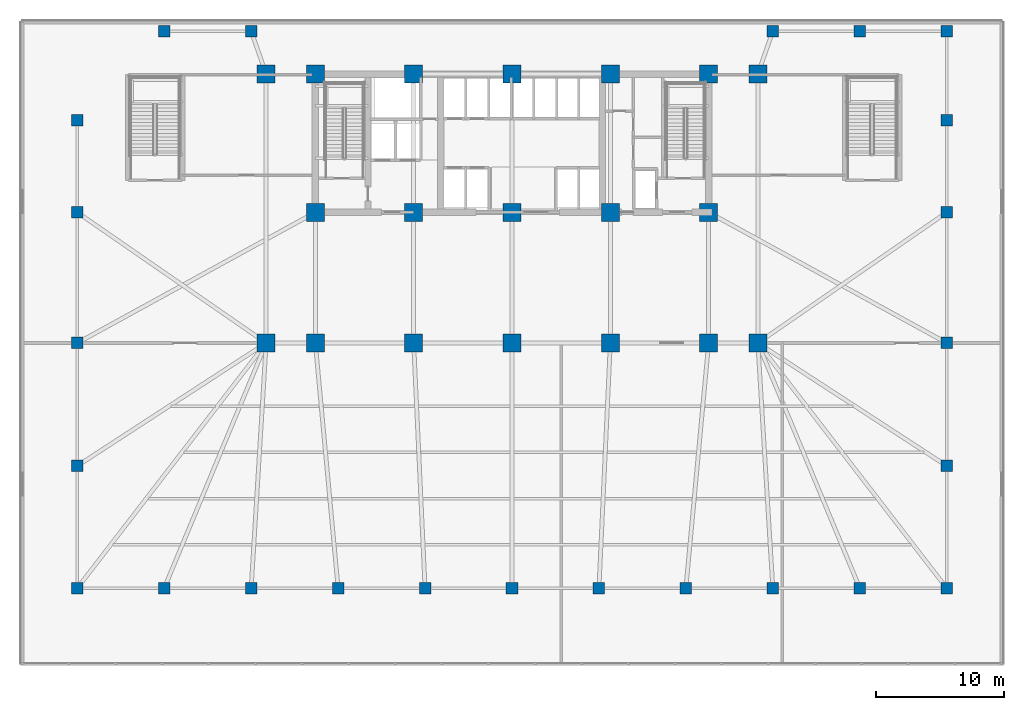
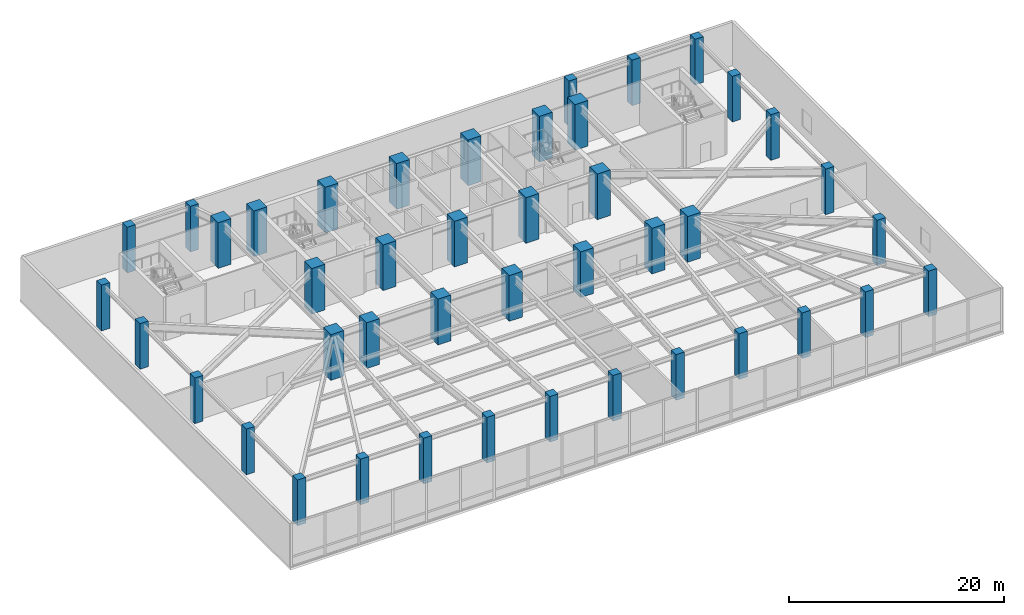
# One storey, part 1 of 19: 43 columns.
"""IFC4 building model written with IfcOpenShell, lengths in metres."""

from ifc_helpers import new_model, si_unit, direction, frame, origin, origin_2d, place, context, subcontext, project, spatial, rectangle, extrude, material, material_profile, profile_set, type_object, element, save


model = new_model("IFC4")

# Units and contexts
model_context = context("Model", 3, precision=1e-05, world=origin(), true_north=direction((0.0, 1.0)))
body_context = subcontext(model_context, "Body", "Model", "MODEL_VIEW")
ifc_project = project(units=[si_unit("LENGTHUNIT", "METRE"), si_unit("AREAUNIT", "SQUARE_METRE"), si_unit("VOLUMEUNIT", "CUBIC_METRE"), si_unit("PLANEANGLEUNIT", "RADIAN"), si_unit("MASSUNIT", "GRAM", prefix="KILO")], contexts=[model_context])

# Site, building, storey
site_placement = place(None, origin())
site = spatial("IfcSite", under=ifc_project, at=site_placement, CompositionType="ELEMENT")
building_placement = place(site_placement, origin())
building = spatial("IfcBuilding", under=site, at=building_placement, Name="Yelkora Congress Tower", CompositionType="ELEMENT")
storey_placement = place(building_placement, frame((0.0, 0.0, 5.199951171875)))
storey = spatial("IfcBuildingStorey", under=building, at=storey_placement, Name="L01", CompositionType="ELEMENT", Elevation=5.199951171875)

# Columns
ifc_material_1 = material(Name="Concrete C60/75", Category="concrete")
ifc_material_profile_1 = material_profile(ifc_material_1, rectangle(XDim=1.39990234375, YDim=1.39990234375, at=origin_2d()), Name="RC 1400x1400")
ifc_profile_set_1 = profile_set([ifc_material_profile_1], Name="Concrete C60/75")
column_type_1 = type_object("IfcColumnType", Name="COL-RC-1400", PredefinedType="COLUMN", material=ifc_profile_set_1)
for number, where, z_axis, x_axis, name in (
    (1, (23.0400390625, 35.39990234375, 0.0), (0.0, 0.0, 1.0), (1.0, 0.0, 0.0), "L01 Mega Column MC-S1"),
    (2, (23.0400390625, 46.199951171875, 0.0), (0.0, 0.0, 1.0), (1.0, 0.0, 0.0), "L01 Mega Column MC-N1"),
    (3, (23.0400390625, 25.199951171875, 0.0), (0.0, 0.0, 1.0), (1.0, 0.0, 0.0), "L01 Mega Column MC-D1"),
    (4, (30.719970703125, 35.39990234375, 0.0), (0.0, 0.0, 1.0), (1.0, 0.0, 0.0), "L01 Mega Column MC-S2"),
    (5, (30.719970703125, 46.199951171875, 0.0), (0.0, 0.0, 1.0), (1.0, 0.0, 0.0), "L01 Mega Column MC-N2"),
    (6, (30.719970703125, 25.199951171875, 0.0), (0.0, 0.0, 1.0), (1.0, 0.0, 0.0), "L01 Mega Column MC-D2"),
    (7, (38.39990234375, 35.39990234375, 0.0), (0.0, 0.0, 1.0), (1.0, 0.0, 0.0), "L01 Mega Column MC-S3"),
    (8, (38.39990234375, 46.199951171875, 0.0), (0.0, 0.0, 1.0), (1.0, 0.0, 0.0), "L01 Mega Column MC-N3"),
    (9, (38.39990234375, 25.199951171875, 0.0), (0.0, 0.0, 1.0), (1.0, 0.0, 0.0), "L01 Mega Column MC-D3"),
    (10, (46.080078125, 35.39990234375, 0.0), (0.0, 0.0, 1.0), (1.0, 0.0, 0.0), "L01 Mega Column MC-S4"),
    (11, (46.080078125, 46.199951171875, 0.0), (0.0, 0.0, 1.0), (1.0, 0.0, 0.0), "L01 Mega Column MC-N4"),
    (12, (46.080078125, 25.199951171875, 0.0), (0.0, 0.0, 1.0), (1.0, 0.0, 0.0), "L01 Mega Column MC-D4"),
    (13, (53.760009765625, 35.39990234375, 0.0), (0.0, 0.0, 1.0), (1.0, 0.0, 0.0), "L01 Mega Column MC-S5"),
    (14, (53.760009765625, 46.199951171875, 0.0), (0.0, 0.0, 1.0), (1.0, 0.0, 0.0), "L01 Mega Column MC-N5"),
    (15, (53.760009765625, 25.199951171875, 0.0), (0.0, 0.0, 1.0), (1.0, 0.0, 0.0), "L01 Mega Column MC-D5"),
    (16, (19.199951171875, 25.199951171875, 0.0), (0.0, 0.0, 1.0), (1.0, 0.0, 0.0), "L01 Mega Column MC-F1"),
    (17, (57.60009765625, 25.199951171875, 0.0), (0.0, 0.0, 1.0), (1.0, 0.0, 0.0), "L01 Mega Column MC-F2"),
    (18, (19.199951171875, 46.199951171875, 0.0), (0.0, 0.0, 1.0), (1.0, 0.0, 0.0), "L01 Mega Column MC-F3"),
    (19, (57.60009765625, 46.199951171875, 0.0), (0.0, 0.0, 1.0), (1.0, 0.0, 0.0), "L01 Mega Column MC-F4"),
):
    element("IfcColumn", number, at=place(storey_placement, frame(where, z_axis=z_axis, x_axis=x_axis)), inside=storey, type_object=column_type_1, Name=name, PredefinedType="COLUMN", context=body_context, shape_type="SweptSolid", body=[
        extrude(rectangle(XDim=1.39990234375, YDim=1.39990234375, at=origin_2d()), origin(), (0.0, 0.0, 1.0), 5.199951171875),
    ])
ifc_material_2 = material(Name="Concrete C50/60", Category="concrete")
ifc_material_profile_2 = material_profile(ifc_material_2, rectangle(XDim=0.89990234375, YDim=0.89990234375, at=origin_2d()), Name="RC 900x900")
ifc_profile_set_2 = profile_set([ifc_material_profile_2], Name="Concrete C50/60")
column_type_2 = type_object("IfcColumnType", Name="COL-RC-900", PredefinedType="COLUMN", material=ifc_profile_set_2)
for number, where, z_axis, x_axis, name in (
    (20, (4.449951171875, 6.050048828125, 0.0), (0.0, 0.0, 1.0), (1.0, 0.0, 0.0), "L01 Podium Column PS01"),
    (21, (11.239990234375, 6.050048828125, 0.0), (0.0, 0.0, 1.0), (1.0, 0.0, 0.0), "L01 Podium Column PS02"),
    (22, (11.239990234375, 49.550048828125, 0.0), (0.0, 0.0, 1.0), (1.0, 0.0, 0.0), "L01 Podium North Column PN02"),
    (23, (18.030029296875, 6.050048828125, 0.0), (0.0, 0.0, 1.0), (1.0, 0.0, 0.0), "L01 Podium Column PS03"),
    (24, (18.030029296875, 49.550048828125, 0.0), (0.0, 0.0, 1.0), (1.0, 0.0, 0.0), "L01 Podium North Column PN03"),
    (25, (24.820068359375, 6.050048828125, 0.0), (0.0, 0.0, 1.0), (1.0, 0.0, 0.0), "L01 Podium Column PS04"),
    (26, (31.610107421875, 6.050048828125, 0.0), (0.0, 0.0, 1.0), (1.0, 0.0, 0.0), "L01 Podium Column PS05"),
    (27, (38.39990234375, 6.050048828125, 0.0), (0.0, 0.0, 1.0), (1.0, 0.0, 0.0), "L01 Podium Column PS06"),
    (28, (45.18994140625, 6.050048828125, 0.0), (0.0, 0.0, 1.0), (1.0, 0.0, 0.0), "L01 Podium Column PS07"),
    (29, (51.97998046875, 6.050048828125, 0.0), (0.0, 0.0, 1.0), (1.0, 0.0, 0.0), "L01 Podium Column PS08"),
    (30, (58.77001953125, 6.050048828125, 0.0), (0.0, 0.0, 1.0), (1.0, 0.0, 0.0), "L01 Podium Column PS09"),
    (31, (58.77001953125, 49.550048828125, 0.0), (0.0, 0.0, 1.0), (1.0, 0.0, 0.0), "L01 Podium North Column PN09"),
    (32, (65.56005859375, 6.050048828125, 0.0), (0.0, 0.0, 1.0), (1.0, 0.0, 0.0), "L01 Podium Column PS10"),
    (33, (65.56005859375, 49.550048828125, 0.0), (0.0, 0.0, 1.0), (1.0, 0.0, 0.0), "L01 Podium North Column PN10"),
    (34, (72.35009765625, 6.050048828125, 0.0), (0.0, 0.0, 1.0), (1.0, 0.0, 0.0), "L01 Podium Column PS11"),
    (35, (72.35009765625, 49.550048828125, 0.0), (0.0, 0.0, 1.0), (1.0, 0.0, 0.0), "L01 Podium North Column PN11"),
    (36, (4.449951171875, 15.60009765625, 0.0), (0.0, 0.0, 1.0), (1.0, 0.0, 0.0), "L01 Podium Flank Column PW1"),
    (37, (72.35009765625, 15.60009765625, 0.0), (0.0, 0.0, 1.0), (1.0, 0.0, 0.0), "L01 Podium Flank Column PE1"),
    (38, (4.449951171875, 25.199951171875, 0.0), (0.0, 0.0, 1.0), (1.0, 0.0, 0.0), "L01 Podium Flank Column PW2"),
    (39, (72.35009765625, 25.199951171875, 0.0), (0.0, 0.0, 1.0), (1.0, 0.0, 0.0), "L01 Podium Flank Column PE2"),
    (40, (4.449951171875, 35.39990234375, 0.0), (0.0, 0.0, 1.0), (1.0, 0.0, 0.0), "L01 Podium Flank Column PW3"),
    (41, (72.35009765625, 35.39990234375, 0.0), (0.0, 0.0, 1.0), (1.0, 0.0, 0.0), "L01 Podium Flank Column PE3"),
    (42, (4.449951171875, 42.60009765625, 0.0), (0.0, 0.0, 1.0), (1.0, 0.0, 0.0), "L01 Podium Flank Column PW4"),
    (43, (72.35009765625, 42.60009765625, 0.0), (0.0, 0.0, 1.0), (1.0, 0.0, 0.0), "L01 Podium Flank Column PE4"),
):
    element("IfcColumn", number, at=place(storey_placement, frame(where, z_axis=z_axis, x_axis=x_axis)), inside=storey, type_object=column_type_2, Name=name, PredefinedType="COLUMN", context=body_context, shape_type="SweptSolid", body=[
        extrude(rectangle(XDim=0.89990234375, YDim=0.89990234375, at=origin_2d()), origin(), (0.0, 0.0, 1.0), 5.199951171875),
    ])

save(model, "model.ifc")
